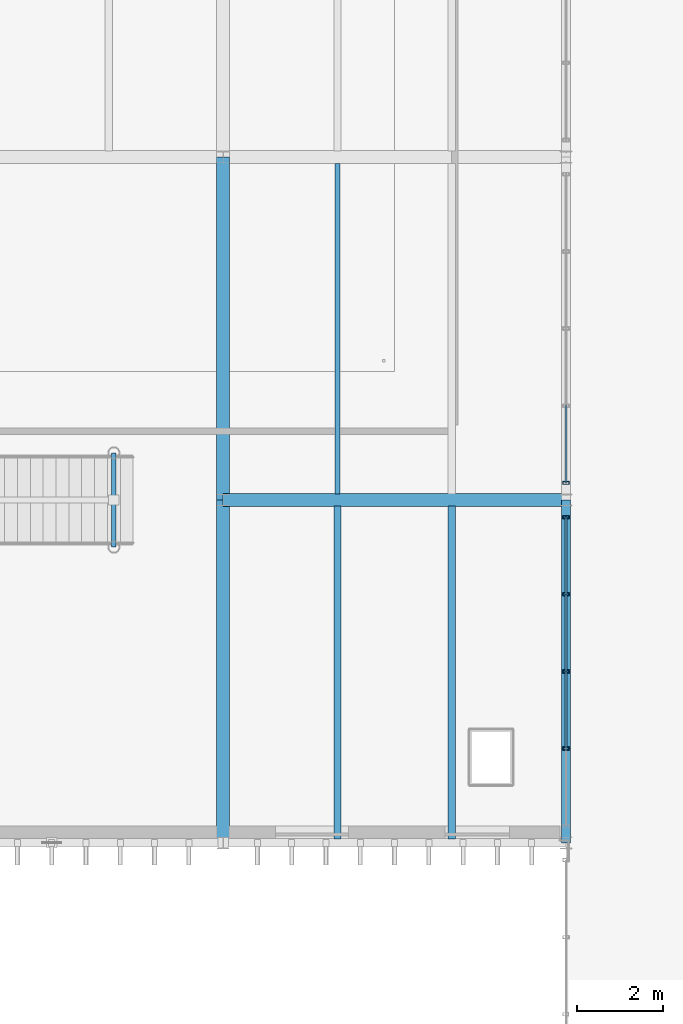
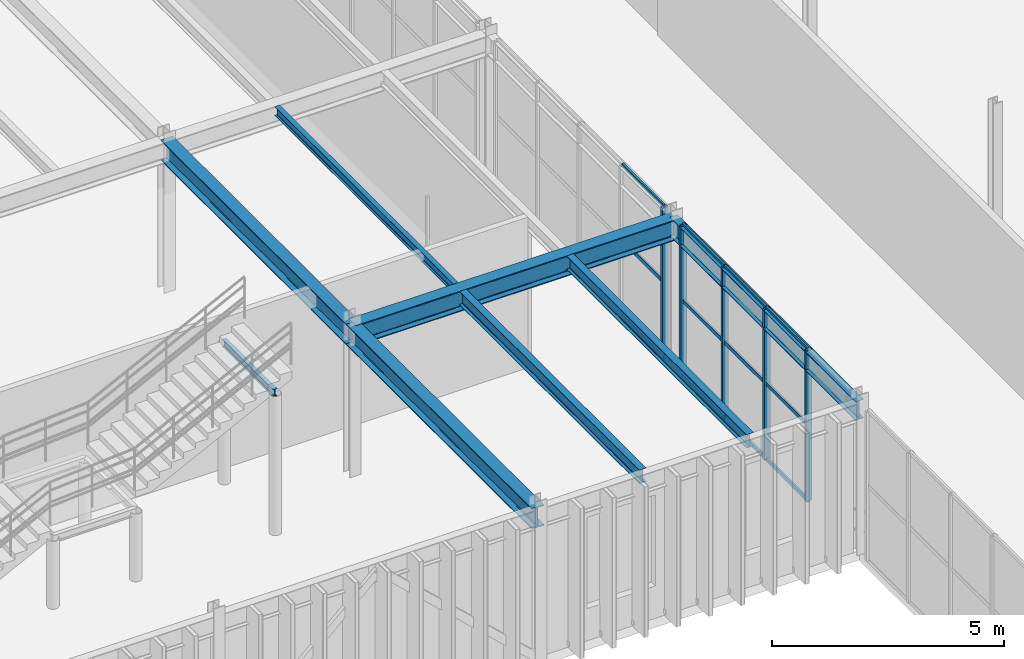
# One storey, part 54 of 122: 17 members, 8 beams, 2 elements without a shape of their own.
"""IFC4 building model written with IfcOpenShell, lengths in metres."""

from ifc_helpers import new_model, si_unit, direction, frame, origin, origin_2d, place, context, subcontext, project, spatial, hollow_rectangle, i_section, extrude, material, material_profile, profile_set, type_object, element, aggregate, save


model = new_model("IFC4")

# Units and contexts
model_context = context("Model", 3, precision=1e-05, world=origin(), true_north=direction((0.0, 1.0)))
body_context = subcontext(model_context, "Body", "Model", "MODEL_VIEW")
ifc_project = project(units=[si_unit("LENGTHUNIT", "METRE"), si_unit("AREAUNIT", "SQUARE_METRE"), si_unit("VOLUMEUNIT", "CUBIC_METRE"), si_unit("PLANEANGLEUNIT", "RADIAN"), si_unit("MASSUNIT", "GRAM", prefix="KILO")], contexts=[model_context])

# Site, building, storey
site_placement = place(None, origin())
site = spatial("IfcSite", under=ifc_project, at=site_placement, CompositionType="ELEMENT")
building_placement = place(site_placement, origin())
building = spatial("IfcBuilding", under=site, at=building_placement, Name="Sundkrona Museum", CompositionType="ELEMENT")
storey_placement = place(building_placement, frame((0.0, 0.0, 5.39990234375)))
storey = spatial("IfcBuildingStorey", under=building, at=storey_placement, Name="L01", CompositionType="ELEMENT", Elevation=5.39990234375)

# Beams
ifc_material_1 = material(Name="Steel S355J2", Category="steel")
ifc_material_profile_1 = material_profile(ifc_material_1, i_section(OverallWidth=0.300048828125, OverallDepth=0.5400390625, WebThickness=0.012451171875, FlangeThickness=0.02392578125, FilletRadius=0.027099609375, at=origin_2d()), Name="HEA 550")
ifc_profile_set_1 = profile_set([ifc_material_profile_1], Name="Steel S355J2")
beam_type_1 = type_object("IfcBeamType", Name="B-HEA550", PredefinedType="BEAM", material=ifc_profile_set_1)
for number, where, z_axis, x_axis, name in (
    (1, (72.0, 86.0, 3.690185546875), (1.0, 0.0, 0.0), (0.0, 1.0, 0.0), "L01 Girder X-0899"),
    (2, (72.0, 78.0, 3.690185546875), (0.0, 1.0, 0.0), (-1.0, 0.0, 0.0), "L01 Girder Y-1004"),
    (3, (72.0, 86.0, 3.690185546875), (0.0, 1.0, 0.0), (-1.0, 0.0, 0.0), "L01 Girder Y-1005"),
):
    element("IfcBeam", number, at=place(storey_placement, frame(where, z_axis=z_axis, x_axis=x_axis)), inside=storey, type_object=beam_type_1, Name=name, PredefinedType="BEAM", context=body_context, shape_type="SweptSolid", body=[
        extrude(i_section(OverallWidth=0.300048828125, OverallDepth=0.5400390625, WebThickness=0.012451171875, FlangeThickness=0.02392578125, FilletRadius=0.027099609375, at=origin_2d()), origin(), (0.0, 0.0, 1.0), 8.0),
    ])
ifc_material_profile_2 = material_profile(ifc_material_1, i_section(OverallWidth=0.10009765625, OverallDepth=0.199951171875, WebThickness=0.005615234375, FlangeThickness=0.008544921875, FilletRadius=0.011962890625, at=origin_2d()), Name="IPE 200")
ifc_profile_set_2 = profile_set([ifc_material_profile_2], Name="Steel S355J2")
beam_type_2 = type_object("IfcBeamType", Name="J-IPE200", PredefinedType="JOIST", material=ifc_profile_set_2)
beam_1_placement = place(storey_placement, frame((69.449951171875, 84.89990234375, 3.66015625), z_axis=(0.0, 1.0, 0.0), x_axis=(-1.0, 0.0, 0.0)))
element("IfcBeam", 4, at=beam_1_placement, inside=storey, type_object=beam_type_2, Name="Feature Stair FS-6 S3 Trimmer Beam", PredefinedType="JOIST", context=body_context, shape_type="SweptSolid", body=[
    extrude(i_section(OverallWidth=0.10009765625, OverallDepth=0.199951171875, WebThickness=0.005615234375, FlangeThickness=0.008544921875, FilletRadius=0.011962890625, at=origin_2d()), origin(), (0.0, 0.0, 1.0), 2.2001953125),
])
ifc_material_profile_3 = material_profile(ifc_material_1, i_section(OverallWidth=0.1201171875, OverallDepth=0.239990234375, WebThickness=0.006103515625, FlangeThickness=0.009765625, FilletRadius=0.014892578125, at=origin_2d()), Name="IPE 240")
ifc_profile_set_3 = profile_set([ifc_material_profile_3], Name="Steel S355J2")
beam_type_3 = type_object("IfcBeamType", Name="J-IPE240", PredefinedType="JOIST", material=ifc_profile_set_3)
beam_2_placement = place(storey_placement, frame((74.666748046875, 86.14404296875, 3.840087890625), z_axis=(0.0, 1.0, 0.0), x_axis=(-1.0, 0.0, 0.0)))
element("IfcBeam", 5, at=beam_2_placement, inside=storey, type_object=beam_type_3, Name="L01 Composite Joist 0625", PredefinedType="JOIST", context=body_context, shape_type="SweptSolid", body=[
    extrude(i_section(OverallWidth=0.1201171875, OverallDepth=0.239990234375, WebThickness=0.006103515625, FlangeThickness=0.009765625, FilletRadius=0.014892578125, at=origin_2d()), origin(), (0.0, 0.0, 1.0), 7.7119140625),
])
ifc_material_profile_4 = material_profile(ifc_material_1, i_section(OverallWidth=0.169921875, OverallDepth=0.360107421875, WebThickness=0.008056640625, FlangeThickness=0.0126953125, FilletRadius=0.01806640625, at=origin_2d()), Name="IPE 360")
ifc_profile_set_4 = profile_set([ifc_material_profile_4], Name="Steel S355J2")
beam_type_4 = type_object("IfcBeamType", Name="J-IPE360", PredefinedType="JOIST", material=ifc_profile_set_4)
for number, where, z_axis, x_axis, name in (
    (6, (74.666748046875, 78.093994140625, 3.780029296875), (0.0, 1.0, 0.0), (-1.0, 0.0, 0.0), "L01 Composite Joist 0623"),
    (7, (77.333251953125, 78.093994140625, 3.780029296875), (0.0, 1.0, 0.0), (-1.0, 0.0, 0.0), "L01 Composite Joist 0624"),
):
    element("IfcBeam", number, at=place(storey_placement, frame(where, z_axis=z_axis, x_axis=x_axis)), inside=storey, type_object=beam_type_4, Name=name, PredefinedType="JOIST", context=body_context, shape_type="SweptSolid", body=[
        extrude(i_section(OverallWidth=0.169921875, OverallDepth=0.360107421875, WebThickness=0.008056640625, FlangeThickness=0.0126953125, FilletRadius=0.01806640625, at=origin_2d()), origin(), (0.0, 0.0, 1.0), 7.761962890625),
    ])

# Curtain wall, members
ifc_material_2 = material(Name="Unitised Aluminium-Steel and Ceramic-Clad Curtain Walling", Category="steel")
curtain_wall_type = type_object("IfcCurtainWallType", Name="CW-PS-54x38", PredefinedType="NOTDEFINED", material=ifc_material_2)
curtain_wall_1_placement = place(storey_placement, origin())
curtain_wall_1 = element("IfcCurtainWall", 8, at=curtain_wall_1_placement, inside=storey, type_object=curtain_wall_type, Name="L01 Curtain Wall CW-L01-118", PredefinedType="NOTDEFINED")
ifc_material_3 = material(Name="Aluminium EN AW-6060 T66", Category="aluminium")
ifc_material_profile_5 = material_profile(ifc_material_3, hollow_rectangle(XDim=0.074951171875, YDim=0.14990234375, WallThickness=0.00634765625, at=origin_2d()), Name="RHS 150x75x6.3")
ifc_profile_set_5 = profile_set([ifc_material_profile_5], Name="Aluminium EN AW-6060 T66")
member_type_1 = type_object("IfcMemberType", Name="ML-150", PredefinedType="MULLION", material=ifc_profile_set_5)
member_1_placement = place(storey_placement, frame((80.0, 80.199951171875, -0.00390625), z_axis=(0.0, 0.0, 1.0), x_axis=(0.0, 1.0, 0.0)))
member_1 = element("IfcMember", 9, at=member_1_placement, type_object=member_type_1, Name="CW-L01-118 Mullion 02", PredefinedType="MULLION", context=body_context, shape_type="SweptSolid", body=[
    extrude(hollow_rectangle(XDim=0.074951171875, YDim=0.14990234375, WallThickness=0.00634765625, at=origin_2d()), origin(), (0.0, 0.0, 1.0), 3.968017578125),
])
member_2_placement = place(storey_placement, frame((80.0, 82.0, -0.00390625), z_axis=(0.0, 0.0, 1.0), x_axis=(0.0, 1.0, 0.0)))
member_2 = element("IfcMember", 10, at=member_2_placement, type_object=member_type_1, Name="CW-L01-118 Mullion 03", PredefinedType="MULLION", context=body_context, shape_type="SweptSolid", body=[
    extrude(hollow_rectangle(XDim=0.074951171875, YDim=0.14990234375, WallThickness=0.00634765625, at=origin_2d()), origin(), (0.0, 0.0, 1.0), 3.968017578125),
])
member_3_placement = place(storey_placement, frame((80.0, 83.800048828125, -0.00390625), z_axis=(0.0, 0.0, 1.0), x_axis=(0.0, 1.0, 0.0)))
member_3 = element("IfcMember", 11, at=member_3_placement, type_object=member_type_1, Name="CW-L01-118 Mullion 04", PredefinedType="MULLION", context=body_context, shape_type="SweptSolid", body=[
    extrude(hollow_rectangle(XDim=0.074951171875, YDim=0.14990234375, WallThickness=0.00634765625, at=origin_2d()), origin(), (0.0, 0.0, 1.0), 3.968017578125),
])
member_4_placement = place(storey_placement, frame((80.0, 85.60009765625, -0.00390625), z_axis=(0.0, 0.0, 1.0), x_axis=(0.0, 1.0, 0.0)))
member_4 = element("IfcMember", 12, at=member_4_placement, type_object=member_type_1, Name="CW-L01-118 Mullion 05", PredefinedType="MULLION", context=body_context, shape_type="SweptSolid", body=[
    extrude(hollow_rectangle(XDim=0.074951171875, YDim=0.14990234375, WallThickness=0.00634765625, at=origin_2d()), origin(), (0.0, 0.0, 1.0), 3.968017578125),
])

# Curtain wall, member
curtain_wall_2_placement = place(storey_placement, origin())
curtain_wall_2 = element("IfcCurtainWall", 13, at=curtain_wall_2_placement, inside=storey, type_object=curtain_wall_type, Name="L01 Curtain Wall CW-L01-120", PredefinedType="NOTDEFINED")
member_5_placement = place(storey_placement, frame((80.0, 86.39990234375, -0.00390625), z_axis=(0.0, 0.0, 1.0), x_axis=(0.0, 1.0, 0.0)))
member_5 = element("IfcMember", 14, at=member_5_placement, type_object=member_type_1, Name="CW-L01-120 Mullion 01", PredefinedType="MULLION", context=body_context, shape_type="SweptSolid", body=[
    extrude(hollow_rectangle(XDim=0.074951171875, YDim=0.14990234375, WallThickness=0.00634765625, at=origin_2d()), origin(), (0.0, 0.0, 1.0), 3.968017578125),
])

# Beam
ifc_material_profile_6 = material_profile(ifc_material_1, i_section(OverallWidth=0.199951171875, OverallDepth=0.5, WebThickness=0.01025390625, FlangeThickness=0.01611328125, FilletRadius=0.02099609375, at=origin_2d()), Name="IPE 500")
ifc_profile_set_6 = profile_set([ifc_material_profile_6], Name="Steel S355J2")
beam_type_5 = type_object("IfcBeamType", Name="SP-IPE500", PredefinedType="SPANDREL", material=ifc_profile_set_6)
beam_3_placement = place(storey_placement, frame((80.0, 78.0, 3.710205078125), z_axis=(0.0, 1.0, 0.0), x_axis=(-1.0, 0.0, 0.0)))
element("IfcBeam", 15, at=beam_3_placement, inside=storey, type_object=beam_type_5, Name="L01 Girder Y-1014", PredefinedType="SPANDREL", context=body_context, shape_type="SweptSolid", body=[
    extrude(i_section(OverallWidth=0.199951171875, OverallDepth=0.5, WebThickness=0.01025390625, FlangeThickness=0.01611328125, FilletRadius=0.02099609375, at=origin_2d()), origin(), (0.0, 0.0, 1.0), 8.0),
])

# Member
ifc_material_profile_7 = material_profile(ifc_material_3, hollow_rectangle(XDim=0.050048828125, YDim=0.10009765625, WallThickness=0.0048828125, at=origin_2d()), Name="RHS 100x50x5.0")
ifc_profile_set_7 = profile_set([ifc_material_profile_7], Name="Aluminium EN AW-6060 T66")
member_type_2 = type_object("IfcMemberType", Name="TR-100", PredefinedType="USERDEFINED", material=ifc_profile_set_7)
member_6_placement = place(storey_placement, frame((80.0, 80.199951171875, -0.00390625), z_axis=(0.0, 1.0, 0.0), x_axis=(-1.0, 0.0, 0.0)))
member_6 = element("IfcMember", 16, at=member_6_placement, type_object=member_type_2, Name="CW-L01-118 Transom 04", ObjectType="TRANSOM", PredefinedType="USERDEFINED", context=body_context, shape_type="SweptSolid", body=[
    extrude(hollow_rectangle(XDim=0.050048828125, YDim=0.10009765625, WallThickness=0.0048828125, at=origin_2d()), origin(), (0.0, 0.0, 1.0), 1.800048828125),
])

member_7_placement = place(storey_placement, frame((80.0, 80.199951171875, 1.97998046875), z_axis=(0.0, 1.0, 0.0), x_axis=(-1.0, 0.0, 0.0)))
member_7 = element("IfcMember", 17, at=member_7_placement, type_object=member_type_2, Name="CW-L01-118 Transom 05", ObjectType="TRANSOM", PredefinedType="USERDEFINED", context=body_context, shape_type="SweptSolid", body=[
    extrude(hollow_rectangle(XDim=0.050048828125, YDim=0.10009765625, WallThickness=0.0048828125, at=origin_2d()), origin(), (0.0, 0.0, 1.0), 1.800048828125),
])

member_8_placement = place(storey_placement, frame((80.0, 80.199951171875, 3.964111328125), z_axis=(0.0, 1.0, 0.0), x_axis=(-1.0, 0.0, 0.0)))
member_8 = element("IfcMember", 18, at=member_8_placement, type_object=member_type_2, Name="CW-L01-118 Transom 06", ObjectType="TRANSOM", PredefinedType="USERDEFINED", context=body_context, shape_type="SweptSolid", body=[
    extrude(hollow_rectangle(XDim=0.050048828125, YDim=0.10009765625, WallThickness=0.0048828125, at=origin_2d()), origin(), (0.0, 0.0, 1.0), 1.800048828125),
])

member_9_placement = place(storey_placement, frame((80.0, 82.0, -0.00390625), z_axis=(0.0, 1.0, 0.0), x_axis=(-1.0, 0.0, 0.0)))
member_9 = element("IfcMember", 19, at=member_9_placement, type_object=member_type_2, Name="CW-L01-118 Transom 07", ObjectType="TRANSOM", PredefinedType="USERDEFINED", context=body_context, shape_type="SweptSolid", body=[
    extrude(hollow_rectangle(XDim=0.050048828125, YDim=0.10009765625, WallThickness=0.0048828125, at=origin_2d()), origin(), (0.0, 0.0, 1.0), 1.800048828125),
])

member_10_placement = place(storey_placement, frame((80.0, 82.0, 1.97998046875), z_axis=(0.0, 1.0, 0.0), x_axis=(-1.0, 0.0, 0.0)))
member_10 = element("IfcMember", 20, at=member_10_placement, type_object=member_type_2, Name="CW-L01-118 Transom 08", ObjectType="TRANSOM", PredefinedType="USERDEFINED", context=body_context, shape_type="SweptSolid", body=[
    extrude(hollow_rectangle(XDim=0.050048828125, YDim=0.10009765625, WallThickness=0.0048828125, at=origin_2d()), origin(), (0.0, 0.0, 1.0), 1.800048828125),
])

member_11_placement = place(storey_placement, frame((80.0, 82.0, 3.964111328125), z_axis=(0.0, 1.0, 0.0), x_axis=(-1.0, 0.0, 0.0)))
member_11 = element("IfcMember", 21, at=member_11_placement, type_object=member_type_2, Name="CW-L01-118 Transom 09", ObjectType="TRANSOM", PredefinedType="USERDEFINED", context=body_context, shape_type="SweptSolid", body=[
    extrude(hollow_rectangle(XDim=0.050048828125, YDim=0.10009765625, WallThickness=0.0048828125, at=origin_2d()), origin(), (0.0, 0.0, 1.0), 1.800048828125),
])

member_12_placement = place(storey_placement, frame((80.0, 83.800048828125, -0.00390625), z_axis=(0.0, 1.0, 0.0), x_axis=(-1.0, 0.0, 0.0)))
member_12 = element("IfcMember", 22, at=member_12_placement, type_object=member_type_2, Name="CW-L01-118 Transom 10", ObjectType="TRANSOM", PredefinedType="USERDEFINED", context=body_context, shape_type="SweptSolid", body=[
    extrude(hollow_rectangle(XDim=0.050048828125, YDim=0.10009765625, WallThickness=0.0048828125, at=origin_2d()), origin(), (0.0, 0.0, 1.0), 1.800048828125),
])

member_13_placement = place(storey_placement, frame((80.0, 83.800048828125, 1.97998046875), z_axis=(0.0, 1.0, 0.0), x_axis=(-1.0, 0.0, 0.0)))
member_13 = element("IfcMember", 23, at=member_13_placement, type_object=member_type_2, Name="CW-L01-118 Transom 11", ObjectType="TRANSOM", PredefinedType="USERDEFINED", context=body_context, shape_type="SweptSolid", body=[
    extrude(hollow_rectangle(XDim=0.050048828125, YDim=0.10009765625, WallThickness=0.0048828125, at=origin_2d()), origin(), (0.0, 0.0, 1.0), 1.800048828125),
])

member_14_placement = place(storey_placement, frame((80.0, 83.800048828125, 3.964111328125), z_axis=(0.0, 1.0, 0.0), x_axis=(-1.0, 0.0, 0.0)))
member_14 = element("IfcMember", 24, at=member_14_placement, type_object=member_type_2, Name="CW-L01-118 Transom 12", ObjectType="TRANSOM", PredefinedType="USERDEFINED", context=body_context, shape_type="SweptSolid", body=[
    extrude(hollow_rectangle(XDim=0.050048828125, YDim=0.10009765625, WallThickness=0.0048828125, at=origin_2d()), origin(), (0.0, 0.0, 1.0), 1.800048828125),
])

aggregate(curtain_wall_1, [member_1, member_2, member_3, member_4, member_6, member_7, member_8, member_9, member_10, member_11, member_12, member_13, member_14])

member_15_placement = place(storey_placement, frame((80.0, 86.39990234375, -0.00390625), z_axis=(0.0, 1.0, 0.0), x_axis=(-1.0, 0.0, 0.0)))
member_15 = element("IfcMember", 25, at=member_15_placement, type_object=member_type_2, Name="CW-L01-120 Transom 01", ObjectType="TRANSOM", PredefinedType="USERDEFINED", context=body_context, shape_type="SweptSolid", body=[
    extrude(hollow_rectangle(XDim=0.050048828125, YDim=0.10009765625, WallThickness=0.0048828125, at=origin_2d()), origin(), (0.0, 0.0, 1.0), 1.800048828125),
])

member_16_placement = place(storey_placement, frame((80.0, 86.39990234375, 1.97998046875), z_axis=(0.0, 1.0, 0.0), x_axis=(-1.0, 0.0, 0.0)))
member_16 = element("IfcMember", 26, at=member_16_placement, type_object=member_type_2, Name="CW-L01-120 Transom 02", ObjectType="TRANSOM", PredefinedType="USERDEFINED", context=body_context, shape_type="SweptSolid", body=[
    extrude(hollow_rectangle(XDim=0.050048828125, YDim=0.10009765625, WallThickness=0.0048828125, at=origin_2d()), origin(), (0.0, 0.0, 1.0), 1.800048828125),
])

member_17_placement = place(storey_placement, frame((80.0, 86.39990234375, 3.964111328125), z_axis=(0.0, 1.0, 0.0), x_axis=(-1.0, 0.0, 0.0)))
member_17 = element("IfcMember", 27, at=member_17_placement, type_object=member_type_2, Name="CW-L01-120 Transom 03", ObjectType="TRANSOM", PredefinedType="USERDEFINED", context=body_context, shape_type="SweptSolid", body=[
    extrude(hollow_rectangle(XDim=0.050048828125, YDim=0.10009765625, WallThickness=0.0048828125, at=origin_2d()), origin(), (0.0, 0.0, 1.0), 1.800048828125),
])

aggregate(curtain_wall_2, [member_5, member_15, member_16, member_17])

save(model, "model.ifc")
